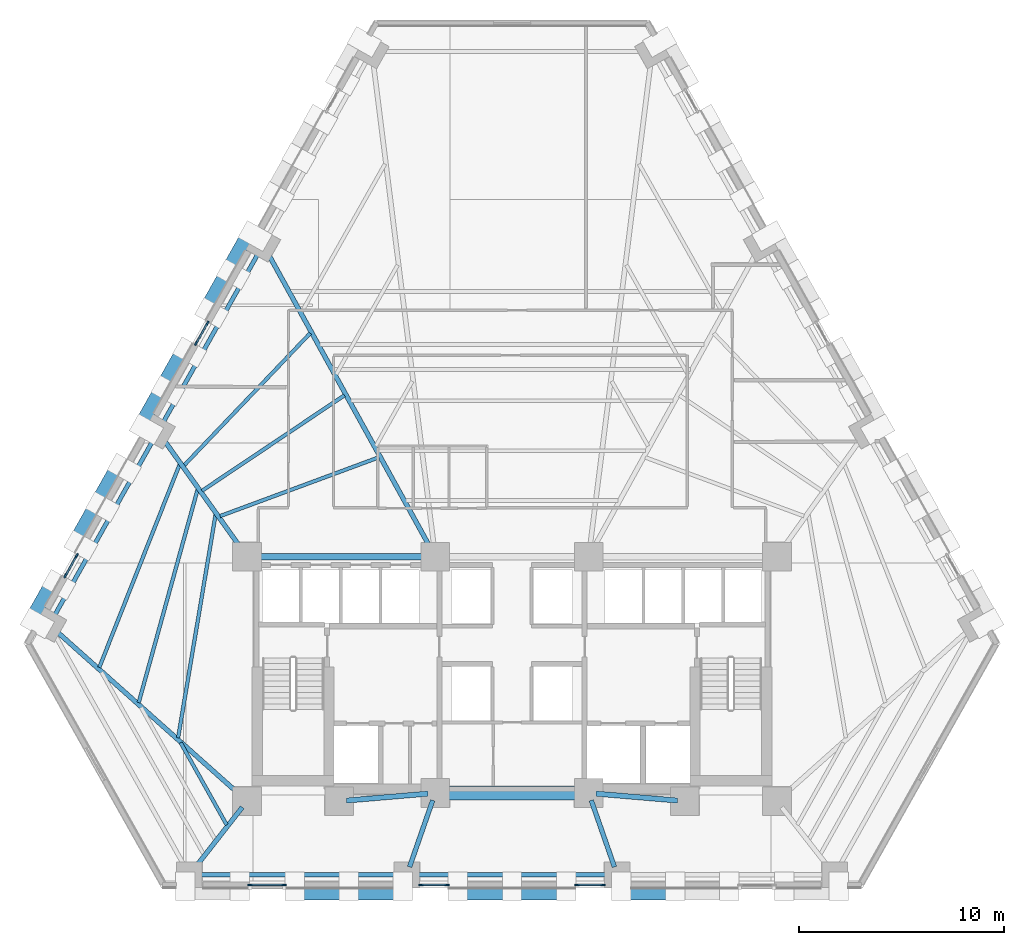
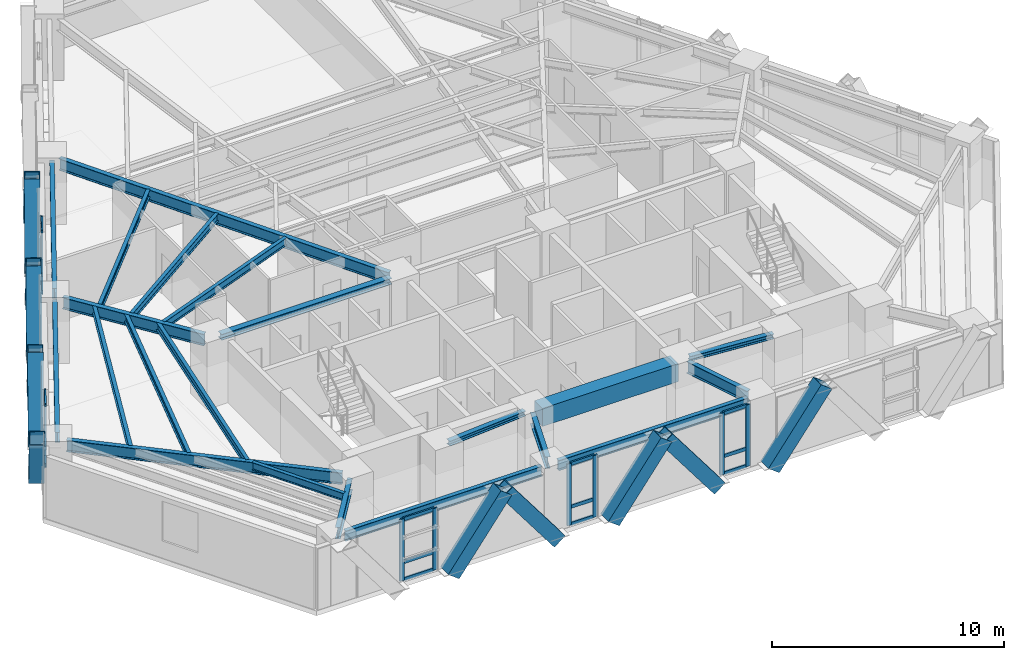
# One storey, part 2 of 13: 37 members, 21 beams, 5 elements without a shape of their own.
"""IFC4 building model written with IfcOpenShell, lengths in metres."""

from ifc_helpers import new_model, si_unit, direction, frame, origin, origin_2d, place, context, subcontext, project, spatial, rectangle, hollow_rectangle, i_section, extrude, material, material_profile, profile_set, type_object, element, aggregate, save


model = new_model("IFC4")

# Units and contexts
model_context = context("Model", 3, precision=1e-05, world=origin(), true_north=direction((0.0, 1.0)))
body_context = subcontext(model_context, "Body", "Model", "MODEL_VIEW")
ifc_project = project(units=[si_unit("LENGTHUNIT", "METRE"), si_unit("AREAUNIT", "SQUARE_METRE"), si_unit("VOLUMEUNIT", "CUBIC_METRE"), si_unit("PLANEANGLEUNIT", "RADIAN"), si_unit("MASSUNIT", "GRAM", prefix="KILO")], contexts=[model_context])

# Site, building, storey
site_placement = place(None, origin())
site = spatial("IfcSite", under=ifc_project, at=site_placement, CompositionType="ELEMENT")
building_placement = place(site_placement, origin())
building = spatial("IfcBuilding", under=site, at=building_placement, Name="Quenlor Broadcast Tower", CompositionType="ELEMENT")
storey_placement = place(building_placement, frame((0.0, 0.0, 45.10009765625)))
storey = spatial("IfcBuildingStorey", under=building, at=storey_placement, Name="L11", CompositionType="ELEMENT", Elevation=45.10009765625)

# Curtain wall, members
ifc_material_1 = material(Name="Architectural Terracotta and Low-E Glazing", Category="masonry")
curtain_wall_type = type_object("IfcCurtainWallType", Name="Unitised Terracotta Curtain Wall System Z1", PredefinedType="NOTDEFINED", material=ifc_material_1)
curtain_wall_1_placement = place(storey_placement, origin())
curtain_wall_1 = element("IfcCurtainWall", 1, at=curtain_wall_1_placement, inside=storey, type_object=curtain_wall_type, Name="L11 Curtain Wall CW1 (L11-SC-G1)", PredefinedType="NOTDEFINED")
ifc_material_2 = material(Name="Aluminium 6063-T6", Category="aluminium")
ifc_material_profile_1 = material_profile(ifc_material_2, rectangle(XDim=0.080078125, YDim=0.219970703125, at=origin_2d()))
ifc_profile_set_1 = profile_set([ifc_material_profile_1], Name="Aluminium 6063-T6 MULL80x220")
member_type_1 = type_object("IfcMemberType", Name="CW1 Aluminium Mullion MULL_CW1", PredefinedType="MULLION", material=ifc_profile_set_1)
member_1_placement = place(storey_placement, frame((-11.146484375, -20.840087890625, 0.0), z_axis=(0.0, 0.0, 1.0), x_axis=(0.0, -1.0, 0.0)))
member_1 = element("IfcMember", 2, at=member_1_placement, type_object=member_type_1, Name="CW1 mullion 1", PredefinedType="MULLION", context=body_context, shape_type="SweptSolid", body=[
    extrude(rectangle(XDim=0.080078125, YDim=0.219970703125, at=origin_2d()), origin(), (0.0, 0.0, 1.0), 3.25),
])
member_2_placement = place(storey_placement, frame((-12.794921875, -20.840087890625, 0.0), z_axis=(0.0, 0.0, 1.0), x_axis=(0.0, -1.0, 0.0)))
member_2 = element("IfcMember", 3, at=member_2_placement, type_object=member_type_1, Name="CW1 mullion 2", PredefinedType="MULLION", context=body_context, shape_type="SweptSolid", body=[
    extrude(rectangle(XDim=0.080078125, YDim=0.219970703125, at=origin_2d()), origin(), (0.0, 0.0, 1.0), 3.25),
])

curtain_wall_2_placement = place(storey_placement, origin())
curtain_wall_2 = element("IfcCurtainWall", 4, at=curtain_wall_2_placement, inside=storey, type_object=curtain_wall_type, Name="L11 Curtain Wall CW1 (L11-S-G1)", PredefinedType="NOTDEFINED")
member_3_placement = place(storey_placement, frame((4.455810546875, -20.840087890625, 0.0), z_axis=(0.0, 0.0, 1.0), x_axis=(0.0, -1.0, 0.0)))
member_3 = element("IfcMember", 5, at=member_3_placement, type_object=member_type_1, Name="CW1 mullion 1", PredefinedType="MULLION", context=body_context, shape_type="SweptSolid", body=[
    extrude(rectangle(XDim=0.080078125, YDim=0.219970703125, at=origin_2d()), origin(), (0.0, 0.0, 1.0), 3.25),
])
member_4_placement = place(storey_placement, frame((3.166015625, -20.840087890625, 0.0), z_axis=(0.0, 0.0, 1.0), x_axis=(0.0, -1.0, 0.0)))
member_4 = element("IfcMember", 6, at=member_4_placement, type_object=member_type_1, Name="CW1 mullion 2", PredefinedType="MULLION", context=body_context, shape_type="SweptSolid", body=[
    extrude(rectangle(XDim=0.080078125, YDim=0.219970703125, at=origin_2d()), origin(), (0.0, 0.0, 1.0), 3.25),
])

curtain_wall_3_placement = place(storey_placement, origin())
curtain_wall_3 = element("IfcCurtainWall", 7, at=curtain_wall_3_placement, inside=storey, type_object=curtain_wall_type, Name="L11 Curtain Wall CW1 (L11-S-G2)", PredefinedType="NOTDEFINED")
member_5_placement = place(storey_placement, frame((-3.166015625, -20.840087890625, 0.0), z_axis=(0.0, 0.0, 1.0), x_axis=(0.0, -1.0, 0.0)))
member_5 = element("IfcMember", 8, at=member_5_placement, type_object=member_type_1, Name="CW1 mullion 1", PredefinedType="MULLION", context=body_context, shape_type="SweptSolid", body=[
    extrude(rectangle(XDim=0.080078125, YDim=0.219970703125, at=origin_2d()), origin(), (0.0, 0.0, 1.0), 3.25),
])
member_6_placement = place(storey_placement, frame((-4.455810546875, -20.840087890625, 0.0), z_axis=(0.0, 0.0, 1.0), x_axis=(0.0, -1.0, 0.0)))
member_6 = element("IfcMember", 9, at=member_6_placement, type_object=member_type_1, Name="CW1 mullion 2", PredefinedType="MULLION", context=body_context, shape_type="SweptSolid", body=[
    extrude(rectangle(XDim=0.080078125, YDim=0.219970703125, at=origin_2d()), origin(), (0.0, 0.0, 1.0), 3.25),
])

curtain_wall_4_placement = place(storey_placement, origin())
curtain_wall_4 = element("IfcCurtainWall", 10, at=curtain_wall_4_placement, inside=storey, type_object=curtain_wall_type, Name="L11 Curtain Wall CW1 (L11-NWA-G1)", PredefinedType="NOTDEFINED")
member_7_placement = place(storey_placement, frame((-21.830322265625, -5.736083984375, 0.0), z_axis=(0.0, 0.0, 1.0), x_axis=(-0.871602077703, 0.490214053392, 0.0)))
member_7 = element("IfcMember", 11, at=member_7_placement, type_object=member_type_1, Name="CW1 mullion 1", PredefinedType="MULLION", context=body_context, shape_type="SweptSolid", body=[
    extrude(rectangle(XDim=0.080078125, YDim=0.219970703125, at=origin_2d()), origin(), (0.0, 0.0, 1.0), 3.25),
])
member_8_placement = place(storey_placement, frame((-21.277587890625, -4.75341796875, 0.0), z_axis=(0.0, 0.0, 1.0), x_axis=(-0.871602077703, 0.490214053392, 0.0)))
member_8 = element("IfcMember", 12, at=member_8_placement, type_object=member_type_1, Name="CW1 mullion 2", PredefinedType="MULLION", context=body_context, shape_type="SweptSolid", body=[
    extrude(rectangle(XDim=0.080078125, YDim=0.219970703125, at=origin_2d()), origin(), (0.0, 0.0, 1.0), 3.25),
])

curtain_wall_5_placement = place(storey_placement, origin())
curtain_wall_5 = element("IfcCurtainWall", 13, at=curtain_wall_5_placement, inside=storey, type_object=curtain_wall_type, Name="L11 Curtain Wall CW1 (L11-NW-G1)", PredefinedType="NOTDEFINED")
member_9_placement = place(storey_placement, frame((-15.436767578125, 5.63037109375, 0.0), z_axis=(0.0, 0.0, 1.0), x_axis=(-0.871566690057, 0.49027696742, 0.0)))
member_9 = element("IfcMember", 14, at=member_9_placement, type_object=member_type_1, Name="CW1 mullion 1", PredefinedType="MULLION", context=body_context, shape_type="SweptSolid", body=[
    extrude(rectangle(XDim=0.080078125, YDim=0.219970703125, at=origin_2d()), origin(), (0.0, 0.0, 1.0), 3.25),
])
member_10_placement = place(storey_placement, frame((-14.884033203125, 6.613037109375, 0.0), z_axis=(0.0, 0.0, 1.0), x_axis=(-0.871566690057, 0.49027696742, 0.0)))
member_10 = element("IfcMember", 15, at=member_10_placement, type_object=member_type_1, Name="CW1 mullion 2", PredefinedType="MULLION", context=body_context, shape_type="SweptSolid", body=[
    extrude(rectangle(XDim=0.080078125, YDim=0.219970703125, at=origin_2d()), origin(), (0.0, 0.0, 1.0), 3.25),
])

# Member
ifc_material_3 = material(Name="Aluminium 6063-T6", Category="aluminium")
ifc_material_profile_2 = material_profile(ifc_material_3, rectangle(XDim=0.080078125, YDim=0.179931640625, at=origin_2d()))
ifc_profile_set_2 = profile_set([ifc_material_profile_2], Name="Aluminium 6063-T6 TRAN80x180")
member_type_2 = type_object("IfcMemberType", Name="CW1 Aluminium Transom TRAN_CW1", PredefinedType="USERDEFINED", material=ifc_profile_set_2)
member_11_placement = place(storey_placement, frame((-11.1865234375, -20.840087890625, 0.039794921875), z_axis=(-1.0, 0.0, 0.0), x_axis=(0.0, -1.0, 0.0)))
member_11 = element("IfcMember", 16, at=member_11_placement, type_object=member_type_2, Name="CW1 transom 1.1", ObjectType="TRANSOM", PredefinedType="USERDEFINED", context=body_context, shape_type="SweptSolid", body=[
    extrude(rectangle(XDim=0.080078125, YDim=0.179931640625, at=origin_2d()), origin(), (0.0, 0.0, 1.0), 1.568359375),
])

member_12_placement = place(storey_placement, frame((-11.1865234375, -20.840087890625, 0.949951171875), z_axis=(-1.0, 0.0, 0.0), x_axis=(0.0, -1.0, 0.0)))
member_12 = element("IfcMember", 17, at=member_12_placement, type_object=member_type_2, Name="CW1 transom 1.2", ObjectType="TRANSOM", PredefinedType="USERDEFINED", context=body_context, shape_type="SweptSolid", body=[
    extrude(rectangle(XDim=0.080078125, YDim=0.179931640625, at=origin_2d()), origin(), (0.0, 0.0, 1.0), 1.568359375),
])

member_13_placement = place(storey_placement, frame((-11.1865234375, -20.840087890625, 3.2099609375), z_axis=(-1.0, 0.0, 0.0), x_axis=(0.0, -1.0, 0.0)))
member_13 = element("IfcMember", 18, at=member_13_placement, type_object=member_type_2, Name="CW1 transom 1.3", ObjectType="TRANSOM", PredefinedType="USERDEFINED", context=body_context, shape_type="SweptSolid", body=[
    extrude(rectangle(XDim=0.080078125, YDim=0.179931640625, at=origin_2d()), origin(), (0.0, 0.0, 1.0), 1.568359375),
])

aggregate(curtain_wall_1, [member_1, member_2, member_11, member_12, member_13])

member_14_placement = place(storey_placement, frame((4.415771484375, -20.840087890625, 0.039794921875), z_axis=(-1.0, 0.0, 0.0), x_axis=(0.0, -1.0, 0.0)))
member_14 = element("IfcMember", 19, at=member_14_placement, type_object=member_type_2, Name="CW1 transom 1.1", ObjectType="TRANSOM", PredefinedType="USERDEFINED", context=body_context, shape_type="SweptSolid", body=[
    extrude(rectangle(XDim=0.080078125, YDim=0.179931640625, at=origin_2d()), origin(), (0.0, 0.0, 1.0), 1.209716796875),
])

member_15_placement = place(storey_placement, frame((4.415771484375, -20.840087890625, 0.949951171875), z_axis=(-1.0, 0.0, 0.0), x_axis=(0.0, -1.0, 0.0)))
member_15 = element("IfcMember", 20, at=member_15_placement, type_object=member_type_2, Name="CW1 transom 1.2", ObjectType="TRANSOM", PredefinedType="USERDEFINED", context=body_context, shape_type="SweptSolid", body=[
    extrude(rectangle(XDim=0.080078125, YDim=0.179931640625, at=origin_2d()), origin(), (0.0, 0.0, 1.0), 1.209716796875),
])

member_16_placement = place(storey_placement, frame((4.415771484375, -20.840087890625, 3.2099609375), z_axis=(-1.0, 0.0, 0.0), x_axis=(0.0, -1.0, 0.0)))
member_16 = element("IfcMember", 21, at=member_16_placement, type_object=member_type_2, Name="CW1 transom 1.3", ObjectType="TRANSOM", PredefinedType="USERDEFINED", context=body_context, shape_type="SweptSolid", body=[
    extrude(rectangle(XDim=0.080078125, YDim=0.179931640625, at=origin_2d()), origin(), (0.0, 0.0, 1.0), 1.209716796875),
])

aggregate(curtain_wall_2, [member_3, member_4, member_14, member_15, member_16])

member_17_placement = place(storey_placement, frame((-3.2060546875, -20.840087890625, 0.039794921875), z_axis=(-1.0, 0.0, 0.0), x_axis=(0.0, -1.0, 0.0)))
member_17 = element("IfcMember", 22, at=member_17_placement, type_object=member_type_2, Name="CW1 transom 1.1", ObjectType="TRANSOM", PredefinedType="USERDEFINED", context=body_context, shape_type="SweptSolid", body=[
    extrude(rectangle(XDim=0.080078125, YDim=0.179931640625, at=origin_2d()), origin(), (0.0, 0.0, 1.0), 1.209716796875),
])

member_18_placement = place(storey_placement, frame((-3.2060546875, -20.840087890625, 0.949951171875), z_axis=(-1.0, 0.0, 0.0), x_axis=(0.0, -1.0, 0.0)))
member_18 = element("IfcMember", 23, at=member_18_placement, type_object=member_type_2, Name="CW1 transom 1.2", ObjectType="TRANSOM", PredefinedType="USERDEFINED", context=body_context, shape_type="SweptSolid", body=[
    extrude(rectangle(XDim=0.080078125, YDim=0.179931640625, at=origin_2d()), origin(), (0.0, 0.0, 1.0), 1.209716796875),
])

member_19_placement = place(storey_placement, frame((-3.2060546875, -20.840087890625, 3.2099609375), z_axis=(-1.0, 0.0, 0.0), x_axis=(0.0, -1.0, 0.0)))
member_19 = element("IfcMember", 24, at=member_19_placement, type_object=member_type_2, Name="CW1 transom 1.3", ObjectType="TRANSOM", PredefinedType="USERDEFINED", context=body_context, shape_type="SweptSolid", body=[
    extrude(rectangle(XDim=0.080078125, YDim=0.179931640625, at=origin_2d()), origin(), (0.0, 0.0, 1.0), 1.209716796875),
])

aggregate(curtain_wall_3, [member_5, member_6, member_17, member_18, member_19])

member_20_placement = place(storey_placement, frame((-21.810791015625, -5.701171875, 0.039794921875), z_axis=(0.490228036821, 0.871594212874, 0.0), x_axis=(-0.871594212874, 0.490228036821, 0.0)))
member_20 = element("IfcMember", 25, at=member_20_placement, type_object=member_type_2, Name="CW1 transom 1.1", ObjectType="TRANSOM", PredefinedType="USERDEFINED", context=body_context, shape_type="SweptSolid", body=[
    extrude(rectangle(XDim=0.080078125, YDim=0.179931640625, at=origin_2d()), origin(), (0.0, 0.0, 1.0), 1.04736328125),
])

member_21_placement = place(storey_placement, frame((-21.810791015625, -5.701171875, 0.949951171875), z_axis=(0.490228036821, 0.871594212874, 0.0), x_axis=(-0.871594212874, 0.490228036821, 0.0)))
member_21 = element("IfcMember", 26, at=member_21_placement, type_object=member_type_2, Name="CW1 transom 1.2", ObjectType="TRANSOM", PredefinedType="USERDEFINED", context=body_context, shape_type="SweptSolid", body=[
    extrude(rectangle(XDim=0.080078125, YDim=0.179931640625, at=origin_2d()), origin(), (0.0, 0.0, 1.0), 1.04736328125),
])

member_22_placement = place(storey_placement, frame((-21.810791015625, -5.701171875, 3.2099609375), z_axis=(0.490228036821, 0.871594212874, 0.0), x_axis=(-0.871594212874, 0.490228036821, 0.0)))
member_22 = element("IfcMember", 27, at=member_22_placement, type_object=member_type_2, Name="CW1 transom 1.3", ObjectType="TRANSOM", PredefinedType="USERDEFINED", context=body_context, shape_type="SweptSolid", body=[
    extrude(rectangle(XDim=0.080078125, YDim=0.179931640625, at=origin_2d()), origin(), (0.0, 0.0, 1.0), 1.04736328125),
])

aggregate(curtain_wall_4, [member_7, member_8, member_20, member_21, member_22])

member_23_placement = place(storey_placement, frame((-15.417236328125, 5.6650390625, 0.039794921875), z_axis=(0.490128451098, 0.87165021736, 0.0), x_axis=(-0.87165021736, 0.490128451098, 0.0)))
member_23 = element("IfcMember", 28, at=member_23_placement, type_object=member_type_2, Name="CW1 transom 1.1", ObjectType="TRANSOM", PredefinedType="USERDEFINED", context=body_context, shape_type="SweptSolid", body=[
    extrude(rectangle(XDim=0.080078125, YDim=0.179931640625, at=origin_2d()), origin(), (0.0, 0.0, 1.0), 1.047607421875),
])

member_24_placement = place(storey_placement, frame((-15.417236328125, 5.6650390625, 0.949951171875), z_axis=(0.490128451098, 0.87165021736, 0.0), x_axis=(-0.87165021736, 0.490128451098, 0.0)))
member_24 = element("IfcMember", 29, at=member_24_placement, type_object=member_type_2, Name="CW1 transom 1.2", ObjectType="TRANSOM", PredefinedType="USERDEFINED", context=body_context, shape_type="SweptSolid", body=[
    extrude(rectangle(XDim=0.080078125, YDim=0.179931640625, at=origin_2d()), origin(), (0.0, 0.0, 1.0), 1.047607421875),
])

member_25_placement = place(storey_placement, frame((-15.417236328125, 5.6650390625, 3.2099609375), z_axis=(0.490128451098, 0.87165021736, 0.0), x_axis=(-0.87165021736, 0.490128451098, 0.0)))
member_25 = element("IfcMember", 30, at=member_25_placement, type_object=member_type_2, Name="CW1 transom 1.3", ObjectType="TRANSOM", PredefinedType="USERDEFINED", context=body_context, shape_type="SweptSolid", body=[
    extrude(rectangle(XDim=0.080078125, YDim=0.179931640625, at=origin_2d()), origin(), (0.0, 0.0, 1.0), 1.047607421875),
])

aggregate(curtain_wall_5, [member_9, member_10, member_23, member_24, member_25])

# Beams
ifc_material_4 = material(Name="Concrete C50/60", Category="concrete")
ifc_material_profile_3 = material_profile(ifc_material_4, rectangle(XDim=0.699951171875, YDim=0.949951171875, at=origin_2d()))
ifc_profile_set_3 = profile_set([ifc_material_profile_3], Name="Concrete C50/60 RCB700x950")
beam_type_1 = type_object("IfcBeamType", Name="Core Coupling Beam Concrete C50/60 700x950", PredefinedType="BEAM", material=ifc_profile_set_3)
beam_1_placement = place(storey_placement, frame((-3.389892578125, -16.35009765625, 2.77490234375), z_axis=(1.0, 0.0, 0.0), x_axis=(0.0, 1.0, 0.0)))
element("IfcBeam", 31, at=beam_1_placement, inside=storey, type_object=beam_type_1, Name="L11 Core Coupling Beam 6", PredefinedType="BEAM", context=body_context, shape_type="SweptSolid", body=[
    extrude(rectangle(XDim=0.699951171875, YDim=0.949951171875, at=origin_2d()), origin(), (0.0, 0.0, 1.0), 6.77978515625),
])
ifc_material_5 = material(Name="Steel S355", Category="steel")
ifc_material_profile_4 = material_profile(ifc_material_5, i_section(OverallWidth=0.25390625, OverallDepth=0.25390625, WebThickness=0.008544921875, FlangeThickness=0.01416015625, FilletRadius=0.013916015625, at=origin_2d()))
ifc_profile_set_4 = profile_set([ifc_material_profile_4], Name="Steel S355 250UC72.9")
beam_type_2 = type_object("IfcBeamType", Name="Core Opening Lintel Beam Steel S355 250UC72.9", PredefinedType="LINTEL", material=ifc_profile_set_4)
for number, where, z_axis, x_axis, name in (
    (32, (-8.09130859375, -16.719482421875, 3.123046875), (0.996399763903, 0.084779186679, 0.0), (-0.084779186679, 0.996399763903, 0.0), "L11 Core Opening Lintel Beam 4"),
    (33, (4.108642578125, -16.380615234375, 3.123046875), (0.996399763903, -0.084779186679, 0.0), (0.084779186679, 0.996399763903, 0.0), "L11 Core Opening Lintel Beam 5"),
):
    element("IfcBeam", number, at=place(storey_placement, frame(where, z_axis=z_axis, x_axis=x_axis)), inside=storey, type_object=beam_type_2, Name=name, PredefinedType="LINTEL", context=body_context, shape_type="SweptSolid", body=[
        extrude(i_section(OverallWidth=0.25390625, OverallDepth=0.25390625, WebThickness=0.008544921875, FlangeThickness=0.01416015625, FilletRadius=0.013916015625, at=origin_2d()), origin(), (0.0, 0.0, 1.0), 3.9970703125),
    ])
ifc_material_6 = material(Name="Steel S355", Category="steel")
ifc_material_profile_5 = material_profile(ifc_material_6, i_section(OverallWidth=0.306884765625, OverallDepth=0.314697265625, WebThickness=0.011962890625, FlangeThickness=0.018798828125, FilletRadius=0.0166015625, at=origin_2d()))
ifc_profile_set_5 = profile_set([ifc_material_profile_5], Name="Steel S355 310UC118")
beam_type_3 = type_object("IfcBeamType", Name="Core Tie Beam Steel S355 310UC118", PredefinedType="BEAM", material=ifc_profile_set_5)
beam_2_placement = place(storey_placement, frame((-12.590087890625, -4.800048828125, 3.092529296875), z_axis=(1.0, 0.0, 0.0), x_axis=(0.0, 1.0, 0.0)))
element("IfcBeam", 34, at=beam_2_placement, inside=storey, type_object=beam_type_3, Name="L11 Core Tie Beam 1", PredefinedType="BEAM", context=body_context, shape_type="SweptSolid", body=[
    extrude(i_section(OverallWidth=0.306884765625, OverallDepth=0.314697265625, WebThickness=0.011962890625, FlangeThickness=0.018798828125, FilletRadius=0.0166015625, at=origin_2d()), origin(), (0.0, 0.0, 1.0), 8.47998046875),
])

# Members
ifc_material_7 = material(Name="Steel S355", Category="steel")
ifc_material_profile_6 = material_profile(ifc_material_7, hollow_rectangle(XDim=0.679931640625, YDim=0.679931640625, WallThickness=0.034912109375, at=origin_2d()))
ifc_profile_set_6 = profile_set([ifc_material_profile_6], Name="Steel S355 RHS680x680x35")
member_type_3 = type_object("IfcMemberType", Name="Perimeter Diagonal Lattice Brace Z1 Steel S355 RHS680x35", PredefinedType="BRACE", material=ifc_profile_set_6)
for number, where, z_axis, x_axis, name in (
    (35, (2.644287109375, -21.235107421875, -0.1201171875), (-0.600463982679, 0.0, 0.799651802665), (0.0, -1.0, 0.0), "L11 Perimeter Diamond Lattice S-C2S"),
    (36, (5.336181640625, -21.235107421875, -0.1201171875), (0.60049964856, 0.0, 0.799625019668), (0.0, 1.0, 0.0), "L11 Perimeter Diamond Lattice S-C2B"),
    (37, (-5.336181640625, -21.235107421875, -0.1201171875), (-0.60049964856, 0.0, 0.799625019668), (0.0, -1.0, 0.0), "L11 Perimeter Diamond Lattice S-C3S"),
    (38, (-2.644287109375, -21.235107421875, -0.1201171875), (0.600463982679, 0.0, 0.799651802665), (0.0, 1.0, 0.0), "L11 Perimeter Diamond Lattice S-C3B"),
    (39, (-10.624755859375, -21.235107421875, -0.1201171875), (0.600463982679, 0.0, 0.799651802665), (0.0, 1.0, 0.0), "L11 Perimeter Diamond Lattice S-C4B"),
):
    element("IfcMember", number, at=place(storey_placement, frame(where, z_axis=z_axis, x_axis=x_axis)), inside=storey, type_object=member_type_3, Name=name, PredefinedType="BRACE", context=body_context, shape_type="SweptSolid", body=[
        extrude(hollow_rectangle(XDim=0.679931640625, YDim=0.679931640625, WallThickness=0.034912109375, at=origin_2d()), origin(), (0.0, 0.0, 1.0), 4.376953125),
    ])
member_26_placement = place(storey_placement, frame((-21.359130859375, -4.092529296875, -0.1201171875), z_axis=(0.256375341489, 0.45579159737, 0.852364771705), x_axis=(-0.871581609758, 0.490250443683, 0.0)))
element("IfcMember", 40, at=member_26_placement, inside=storey, type_object=member_type_3, Name="L11 Perimeter Diamond Lattice NW-C1S", PredefinedType="BRACE", context=body_context, shape_type="SweptSolid", body=[
    extrude(hollow_rectangle(XDim=0.679931640625, YDim=0.679931640625, WallThickness=0.034912109375, at=origin_2d()), origin(), (0.0, 0.0, 1.0), 4.106201171875),
])
member_27_placement = place(storey_placement, frame((-22.4375, -6.009521484375, -0.1201171875), z_axis=(-0.256368393635, -0.455838699906, 0.852341672343), x_axis=(0.871608931644, -0.490201866865, 0.0)))
element("IfcMember", 41, at=member_27_placement, inside=storey, type_object=member_type_3, Name="L11 Perimeter Diamond Lattice NW-C1B", PredefinedType="BRACE", context=body_context, shape_type="SweptSolid", body=[
    extrude(hollow_rectangle(XDim=0.679931640625, YDim=0.679931640625, WallThickness=0.034912109375, at=origin_2d()), origin(), (0.0, 0.0, 1.0), 4.1064453125),
])
for number, where, z_axis, x_axis, name in (
    (42, (-18.162353515625, 1.5908203125, -0.1201171875), (0.256375341489, 0.45579159737, 0.852364771705), (-0.871581609758, 0.490250443683, 0.0), "L11 Perimeter Diamond Lattice NW-C2S"),
    (43, (-19.24072265625, -0.326416015625, -0.1201171875), (-0.256375341489, -0.45579159737, 0.852364771705), (0.871581609758, -0.490250443683, 0.0), "L11 Perimeter Diamond Lattice NW-C2B"),
):
    element("IfcMember", number, at=place(storey_placement, frame(where, z_axis=z_axis, x_axis=x_axis)), inside=storey, type_object=member_type_3, Name=name, PredefinedType="BRACE", context=body_context, shape_type="SweptSolid", body=[
        extrude(hollow_rectangle(XDim=0.679931640625, YDim=0.679931640625, WallThickness=0.034912109375, at=origin_2d()), origin(), (0.0, 0.0, 1.0), 4.106201171875),
    ])
member_28_placement = place(storey_placement, frame((-14.965576171875, 7.273681640625, -0.1201171875), z_axis=(0.256368393635, 0.455838699906, 0.852341672343), x_axis=(-0.871608931644, 0.490201866865, 0.0)))
element("IfcMember", 44, at=member_28_placement, inside=storey, type_object=member_type_3, Name="L11 Perimeter Diamond Lattice NW-C3S", PredefinedType="BRACE", context=body_context, shape_type="SweptSolid", body=[
    extrude(hollow_rectangle(XDim=0.679931640625, YDim=0.679931640625, WallThickness=0.034912109375, at=origin_2d()), origin(), (0.0, 0.0, 1.0), 4.1064453125),
])
for number, where, z_axis, x_axis, name in (
    (45, (-16.0439453125, 5.356689453125, -0.1201171875), (-0.256375341489, -0.45579159737, 0.852364771705), (0.871581609758, -0.490250443683, 0.0), "L11 Perimeter Diamond Lattice NW-C3B"),
    (46, (-12.84716796875, 11.039794921875, -0.1201171875), (-0.256375341489, -0.45579159737, 0.852364771705), (0.871581609758, -0.490250443683, 0.0), "L11 Perimeter Diamond Lattice NW-C4B"),
):
    element("IfcMember", number, at=place(storey_placement, frame(where, z_axis=z_axis, x_axis=x_axis)), inside=storey, type_object=member_type_3, Name=name, PredefinedType="BRACE", context=body_context, shape_type="SweptSolid", body=[
        extrude(hollow_rectangle(XDim=0.679931640625, YDim=0.679931640625, WallThickness=0.034912109375, at=origin_2d()), origin(), (0.0, 0.0, 1.0), 4.106201171875),
    ])

# Beams
ifc_material_8 = material(Name="Steel S355", Category="steel")
ifc_material_profile_7 = material_profile(ifc_material_8, i_section(OverallWidth=0.208984375, OverallDepth=0.532958984375, WebThickness=0.01025390625, FlangeThickness=0.015625, FilletRadius=0.013916015625, at=origin_2d()))
ifc_profile_set_7 = profile_set([ifc_material_profile_7], Name="Steel S355 530UB92.4")
beam_type_4 = type_object("IfcBeamType", Name="Perimeter Spandrel Beam Z1 Steel S355 530UB92.4", PredefinedType="SPANDREL", material=ifc_profile_set_7)
beam_3_placement = place(storey_placement, frame((-15.35498046875, -20.35009765625, 2.9833984375), z_axis=(1.0, 0.0, 0.0), x_axis=(0.0, 1.0, 0.0)))
element("IfcBeam", 47, at=beam_3_placement, inside=storey, type_object=beam_type_4, Name="L11 Spandrel Beam S1-S2", PredefinedType="SPANDREL", context=body_context, shape_type="SweptSolid", body=[
    extrude(i_section(OverallWidth=0.208984375, OverallDepth=0.532958984375, WebThickness=0.01025390625, FlangeThickness=0.015625, FilletRadius=0.013916015625, at=origin_2d()), origin(), (0.0, 0.0, 1.0), 9.80419921875),
])
beam_4_placement = place(storey_placement, frame((-4.730712890625, -20.35009765625, 2.9833984375), z_axis=(1.0, 0.0, 0.0), x_axis=(0.0, 1.0, 0.0)))
element("IfcBeam", 48, at=beam_4_placement, inside=storey, type_object=beam_type_4, Name="L11 Spandrel Beam S2-S3", PredefinedType="SPANDREL", context=body_context, shape_type="SweptSolid", body=[
    extrude(i_section(OverallWidth=0.208984375, OverallDepth=0.532958984375, WebThickness=0.01025390625, FlangeThickness=0.015625, FilletRadius=0.013916015625, at=origin_2d()), origin(), (0.0, 0.0, 1.0), 9.46142578125),
])
beam_5_placement = place(storey_placement, frame((-12.364013671875, 10.093505859375, 2.9833984375), z_axis=(-0.490257642051, -0.871577560755, 0.0), x_axis=(0.871577560755, -0.490257642051, 0.0)))
element("IfcBeam", 49, at=beam_5_placement, inside=storey, type_object=beam_type_4, Name="L11 Spandrel Beam NW2-NW3", PredefinedType="SPANDREL", context=body_context, shape_type="SweptSolid", body=[
    extrude(i_section(OverallWidth=0.208984375, OverallDepth=0.532958984375, WebThickness=0.01025390625, FlangeThickness=0.015625, FilletRadius=0.013916015625, at=origin_2d()), origin(), (0.0, 0.0, 1.0), 9.665771484375),
])
beam_6_placement = place(storey_placement, frame((-17.5048828125, 0.954345703125, 2.9833984375), z_axis=(-0.490257767622, -0.871577490121, 0.0), x_axis=(0.871577490121, -0.490257767622, 0.0)))
element("IfcBeam", 50, at=beam_6_placement, inside=storey, type_object=beam_type_4, Name="L11 Spandrel Beam NW3-NW4", PredefinedType="SPANDREL", context=body_context, shape_type="SweptSolid", body=[
    extrude(i_section(OverallWidth=0.208984375, OverallDepth=0.532958984375, WebThickness=0.01025390625, FlangeThickness=0.015625, FilletRadius=0.013916015625, at=origin_2d()), origin(), (0.0, 0.0, 1.0), 10.015380859375),
])
ifc_material_9 = material(Name="Steel S355", Category="steel")
ifc_material_profile_8 = material_profile(ifc_material_9, i_section(OverallWidth=0.177978515625, OverallDepth=0.406494140625, WebThickness=0.0078125, FlangeThickness=0.0126953125, FilletRadius=0.011474609375, at=origin_2d()))
ifc_profile_set_8 = profile_set([ifc_material_profile_8], Name="Steel S355 410UB59.7")
beam_type_5 = type_object("IfcBeamType", Name="Tower Composite Joist Z1 Steel S355 410UB59.7", PredefinedType="JOIST", material=ifc_profile_set_8)
beam_7_placement = place(storey_placement, frame((-14.268310546875, -2.81640625, 3.046630859375), z_axis=(0.937824633945, 0.347109429383, 0.0), x_axis=(-0.347109429383, 0.937824633945, 0.0)))
element("IfcBeam", 51, at=beam_7_placement, inside=storey, type_object=beam_type_5, Name="L11 Secondary Composite Joist 7", PredefinedType="JOIST", context=body_context, shape_type="SweptSolid", body=[
    extrude(i_section(OverallWidth=0.177978515625, OverallDepth=0.406494140625, WebThickness=0.0078125, FlangeThickness=0.0126953125, FilletRadius=0.011474609375, at=origin_2d()), origin(), (0.0, 0.0, 1.0), 8.26513671875),
])
beam_8_placement = place(storey_placement, frame((-15.147705078125, -1.577392578125, 3.046630859375), z_axis=(0.830625844363, 0.556830949819, 0.0), x_axis=(-0.556830949819, 0.830625844363, 0.0)))
element("IfcBeam", 52, at=beam_8_placement, inside=storey, type_object=beam_type_5, Name="L11 Secondary Composite Joist 8", PredefinedType="JOIST", context=body_context, shape_type="SweptSolid", body=[
    extrude(i_section(OverallWidth=0.177978515625, OverallDepth=0.406494140625, WebThickness=0.0078125, FlangeThickness=0.0126953125, FilletRadius=0.011474609375, at=origin_2d()), origin(), (0.0, 0.0, 1.0), 8.374755859375),
])
beam_9_placement = place(storey_placement, frame((-16.029541015625, -0.341796875, 3.046630859375), z_axis=(0.690241086162, 0.723579465556, 0.0), x_axis=(-0.723579465556, 0.690241086162, 0.0)))
element("IfcBeam", 53, at=beam_9_placement, inside=storey, type_object=beam_type_5, Name="L11 Secondary Composite Joist 9", PredefinedType="JOIST", context=body_context, shape_type="SweptSolid", body=[
    extrude(i_section(OverallWidth=0.177978515625, OverallDepth=0.406494140625, WebThickness=0.0078125, FlangeThickness=0.0126953125, FilletRadius=0.011474609375, at=origin_2d()), origin(), (0.0, 0.0, 1.0), 8.93408203125),
])
beam_10_placement = place(storey_placement, frame((-16.31982421875, -13.65478515625, 3.046630859375), z_axis=(0.16559360599, 0.986194077074, 0.0), x_axis=(-0.986194077074, 0.16559360599, 0.0)))
element("IfcBeam", 54, at=beam_10_placement, inside=storey, type_object=beam_type_5, Name="L11 Secondary Composite Joist 13", PredefinedType="JOIST", context=body_context, shape_type="SweptSolid", body=[
    extrude(i_section(OverallWidth=0.177978515625, OverallDepth=0.406494140625, WebThickness=0.0078125, FlangeThickness=0.0126953125, FilletRadius=0.011474609375, at=origin_2d()), origin(), (0.0, 0.0, 1.0), 11.06787109375),
])
beam_11_placement = place(storey_placement, frame((-18.2451171875, -11.93310546875, 3.046630859375), z_axis=(0.266390054368, 0.963865311615, 0.0), x_axis=(-0.963865311615, 0.266390054368, 0.0)))
element("IfcBeam", 55, at=beam_11_placement, inside=storey, type_object=beam_type_5, Name="L11 Secondary Composite Joist 14", PredefinedType="JOIST", context=body_context, shape_type="SweptSolid", body=[
    extrude(i_section(OverallWidth=0.177978515625, OverallDepth=0.406494140625, WebThickness=0.0078125, FlangeThickness=0.0126953125, FilletRadius=0.011474609375, at=origin_2d()), origin(), (0.0, 0.0, 1.0), 10.80810546875),
])
beam_12_placement = place(storey_placement, frame((-20.170166015625, -10.212158203125, 3.046630859375), z_axis=(0.367884833597, 0.929871361646, 0.0), x_axis=(-0.929871361646, 0.367884833597, 0.0)))
element("IfcBeam", 56, at=beam_12_placement, inside=storey, type_object=beam_type_5, Name="L11 Secondary Composite Joist 15", PredefinedType="JOIST", context=body_context, shape_type="SweptSolid", body=[
    extrude(i_section(OverallWidth=0.177978515625, OverallDepth=0.406494140625, WebThickness=0.0078125, FlangeThickness=0.0126953125, FilletRadius=0.011474609375, at=origin_2d()), origin(), (0.0, 0.0, 1.0), 10.669921875),
])
beam_13_placement = place(storey_placement, frame((-13.9462890625, -17.904296875, 3.046630859375), z_axis=(-0.489062021968, 0.872249011848, 0.0), x_axis=(-0.872249011848, -0.489062021968, 0.0)))
element("IfcBeam", 57, at=beam_13_placement, inside=storey, type_object=beam_type_5, Name="L11 Secondary Composite Joist 19", PredefinedType="JOIST", context=body_context, shape_type="SweptSolid", body=[
    extrude(i_section(OverallWidth=0.177978515625, OverallDepth=0.406494140625, WebThickness=0.0078125, FlangeThickness=0.0126953125, FilletRadius=0.011474609375, at=origin_2d()), origin(), (0.0, 0.0, 1.0), 4.6025390625),
])
ifc_material_10 = material(Name="Steel S355", Category="steel")
ifc_material_profile_9 = material_profile(ifc_material_10, i_section(OverallWidth=0.22900390625, OverallDepth=0.611572265625, WebThickness=0.011962890625, FlangeThickness=0.01953125, FilletRadius=0.013916015625, at=origin_2d()))
ifc_profile_set_9 = profile_set([ifc_material_profile_9], Name="Steel S355 610UB125")
beam_type_6 = type_object("IfcBeamType", Name="Tower Primary Floor Beam Z1 Steel S355 610UB125", PredefinedType="BEAM", material=ifc_profile_set_9)
beam_14_placement = place(storey_placement, frame((-15.512451171875, -20.027099609375, 2.944091796875), z_axis=(0.615968610193, 0.78777069713, 0.0), x_axis=(-0.78777069713, 0.615968610193, 0.0)))
element("IfcBeam", 58, at=beam_14_placement, inside=storey, type_object=beam_type_6, Name="L11 Primary Radial Beam S1", PredefinedType="BEAM", context=body_context, shape_type="SweptSolid", body=[
    extrude(i_section(OverallWidth=0.22900390625, OverallDepth=0.611572265625, WebThickness=0.011962890625, FlangeThickness=0.01953125, FilletRadius=0.013916015625, at=origin_2d()), origin(), (0.0, 0.0, 1.0), 3.780029296875),
])
for number, where, z_axis, x_axis, name in (
    (59, (-5.006103515625, -19.962646484375, 2.944091796875), (0.328427161327, 0.944529300606, 0.0), (-0.944529300606, 0.328427161327, 0.0), "L11 Primary Radial Beam S2"),
    (60, (5.006103515625, -19.962646484375, 2.944091796875), (-0.328427161327, 0.944529300606, 0.0), (-0.944529300606, -0.328427161327, 0.0), "L11 Primary Radial Beam S3"),
):
    element("IfcBeam", number, at=place(storey_placement, frame(where, z_axis=z_axis, x_axis=x_axis)), inside=storey, type_object=beam_type_6, Name=name, PredefinedType="BEAM", context=body_context, shape_type="SweptSolid", body=[
        extrude(i_section(OverallWidth=0.22900390625, OverallDepth=0.611572265625, WebThickness=0.011962890625, FlangeThickness=0.01953125, FilletRadius=0.013916015625, at=origin_2d()), origin(), (0.0, 0.0, 1.0), 3.44482421875),
    ])
beam_15_placement = place(storey_placement, frame((-11.965087890625, 10.091796875, 2.944091796875), z_axis=(0.483026493693, -0.875605736842, 0.0), x_axis=(0.875605736842, 0.483026493693, 0.0)))
element("IfcBeam", 61, at=beam_15_placement, inside=storey, type_object=beam_type_6, Name="L11 Primary Radial Beam NW2", PredefinedType="BEAM", context=body_context, shape_type="SweptSolid", body=[
    extrude(i_section(OverallWidth=0.22900390625, OverallDepth=0.611572265625, WebThickness=0.011962890625, FlangeThickness=0.01953125, FilletRadius=0.013916015625, at=origin_2d()), origin(), (0.0, 0.0, 1.0), 16.62744140625),
])
beam_16_placement = place(storey_placement, frame((-17.06591796875, 0.977783203125, 2.944091796875), z_axis=(0.580212680853, -0.814465005373, 0.0), x_axis=(0.814465005373, 0.580212680853, 0.0)))
element("IfcBeam", 62, at=beam_16_placement, inside=storey, type_object=beam_type_6, Name="L11 Primary Radial Beam NW3", PredefinedType="BEAM", context=body_context, shape_type="SweptSolid", body=[
    extrude(i_section(OverallWidth=0.22900390625, OverallDepth=0.611572265625, WebThickness=0.011962890625, FlangeThickness=0.01953125, FilletRadius=0.013916015625, at=origin_2d()), origin(), (0.0, 0.0, 1.0), 6.7138671875),
])
beam_17_placement = place(storey_placement, frame((-22.31005859375, -8.40478515625, 2.944091796875), z_axis=(0.746413754585, -0.665482161268, 0.0), x_axis=(0.665482161268, 0.746413754585, 0.0)))
element("IfcBeam", 63, at=beam_17_placement, inside=storey, type_object=beam_type_6, Name="L11 Primary Radial Beam NW4", PredefinedType="BEAM", context=body_context, shape_type="SweptSolid", body=[
    extrude(i_section(OverallWidth=0.22900390625, OverallDepth=0.611572265625, WebThickness=0.011962890625, FlangeThickness=0.01953125, FilletRadius=0.013916015625, at=origin_2d()), origin(), (0.0, 0.0, 1.0), 12.159912109375),
])

save(model, "model.ifc")
